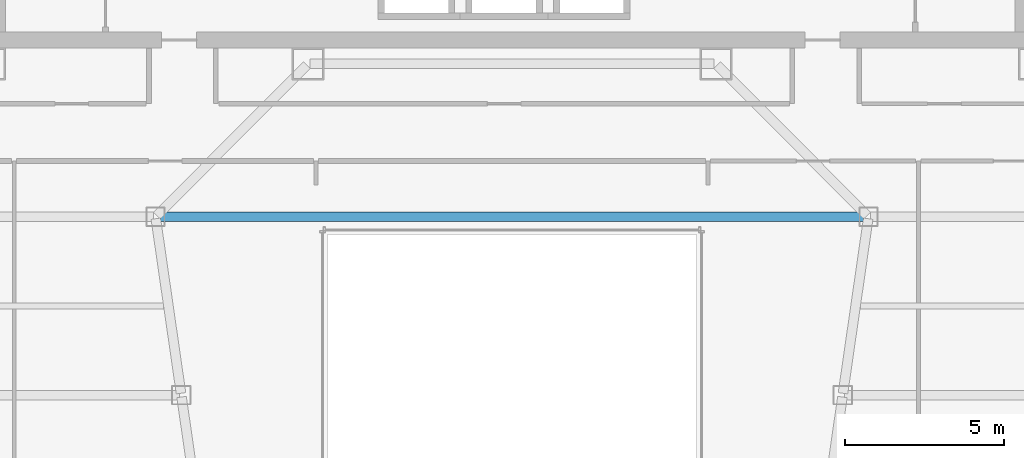
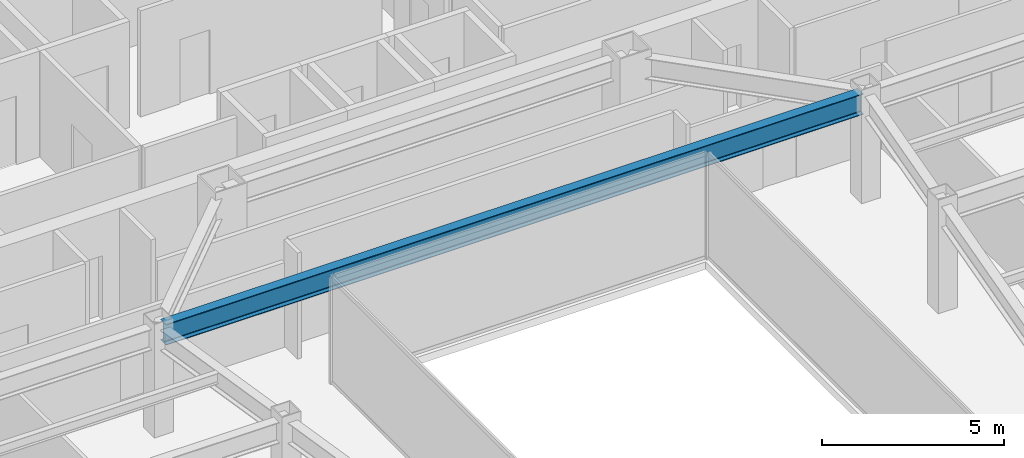
# One storey, part 12 of 36: 1 beam.
"""IFC4 building model written with IfcOpenShell, lengths in metres."""

from ifc_helpers import new_model, si_unit, direction, frame, origin, origin_2d, place, context, subcontext, project, spatial, i_section, extrude, material, material_profile, profile_set, type_object, element, save


model = new_model("IFC4")

# Units and contexts
model_context = context("Model", 3, precision=1e-05, world=origin(), true_north=direction((0.0, 1.0)))
body_context = subcontext(model_context, "Body", "Model", "MODEL_VIEW")
ifc_project = project(units=[si_unit("LENGTHUNIT", "METRE"), si_unit("AREAUNIT", "SQUARE_METRE"), si_unit("VOLUMEUNIT", "CUBIC_METRE"), si_unit("PLANEANGLEUNIT", "RADIAN"), si_unit("MASSUNIT", "GRAM", prefix="KILO")], contexts=[model_context])

# Site, building, storey
site_placement = place(None, origin())
site = spatial("IfcSite", under=ifc_project, at=site_placement, CompositionType="ELEMENT")
building_placement = place(site_placement, origin())
building = spatial("IfcBuilding", under=site, at=building_placement, Name="Saevonmaru Cultural Tower", CompositionType="ELEMENT")
storey_placement = place(building_placement, frame((0.0, 0.0, 156.199951171875)))
storey = spatial("IfcBuildingStorey", under=building, at=storey_placement, Name="L34", CompositionType="ELEMENT", Elevation=156.199951171875)

# Beam
ifc_material = material(Name="Steel SM355", Category="steel")
ifc_material_profile = material_profile(ifc_material, i_section(OverallWidth=0.300048828125, OverallDepth=0.699951171875, WebThickness=0.012939453125, FlangeThickness=0.02392578125, FilletRadius=0.02587890625, at=origin_2d()), Name="H-700x300x13x24")
ifc_profile_set = profile_set([ifc_material_profile], Name="Steel SM355")
beam_type = type_object("IfcBeamType", Name="BM-G-H700", PredefinedType="BEAM", material=ifc_profile_set)
beam_placement = place(storey_placement, frame((18.966064453125, 37.60009765625, 3.199951171875), z_axis=(1.0, 0.0, 0.0), x_axis=(0.0, 1.0, 0.0)))
element("IfcBeam", 1, at=beam_placement, inside=storey, type_object=beam_type, Name="L34 Central Link Girder", PredefinedType="BEAM", context=body_context, shape_type="SweptSolid", body=[
    extrude(i_section(OverallWidth=0.300048828125, OverallDepth=0.699951171875, WebThickness=0.012939453125, FlangeThickness=0.02392578125, FilletRadius=0.02587890625, at=origin_2d()), origin(), (0.0, 0.0, 1.0), 22.06787109375),
])

save(model, "model.ifc")
